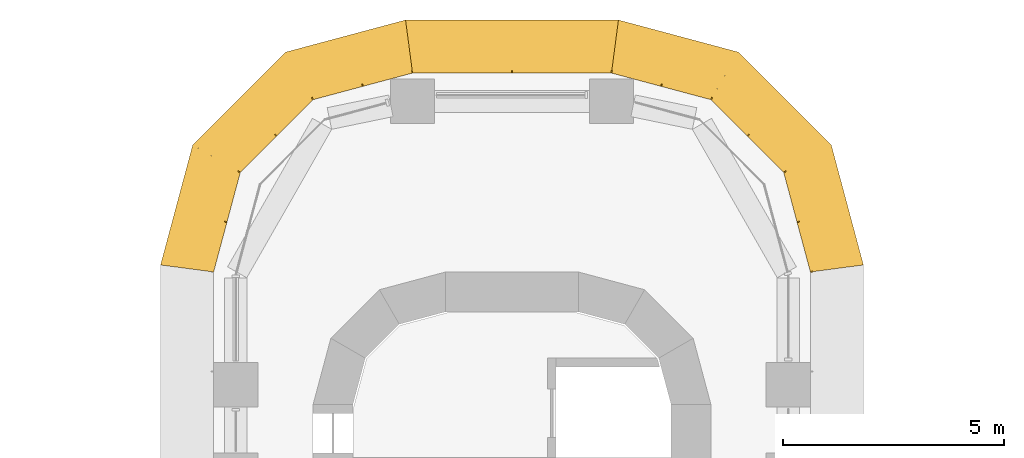
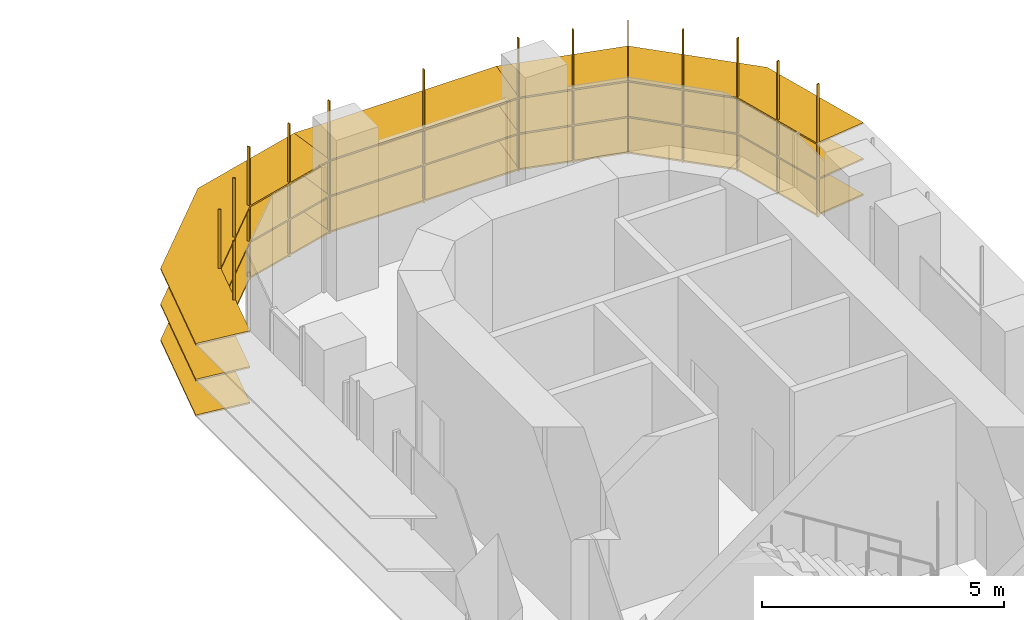
# One storey, part 23 of 23: 3 shading devices.
"""IFC4 building model written with IfcOpenShell, lengths in metres."""

from ifc_helpers import new_model, si_unit, direction, frame, origin, place, context, subcontext, project, spatial, polyline, outline, extrude, faceted_brep, source, transform, mapped, material, type_object, element, save


model = new_model("IFC4")

# Units and contexts
model_context = context("Model", 3, precision=1e-05, world=origin(), true_north=direction((0.0, 1.0)))
body_context = subcontext(model_context, "Body", "Model", "MODEL_VIEW")
ifc_project = project(units=[si_unit("LENGTHUNIT", "METRE"), si_unit("AREAUNIT", "SQUARE_METRE"), si_unit("VOLUMEUNIT", "CUBIC_METRE"), si_unit("PLANEANGLEUNIT", "RADIAN"), si_unit("MASSUNIT", "GRAM", prefix="KILO")], contexts=[model_context])

# Site, building, storey
site_placement = place(None, origin())
site = spatial("IfcSite", under=ifc_project, at=site_placement, CompositionType="ELEMENT")
building_placement = place(site_placement, origin())
building = spatial("IfcBuilding", under=site, at=building_placement, Name="Zarbagh Exchange Tower", CompositionType="ELEMENT")
storey_placement = place(building_placement, frame((0.0, 0.0, 64.800048828125)))
storey = spatial("IfcBuildingStorey", under=building, at=storey_placement, Name="L14", CompositionType="ELEMENT", Elevation=64.800048828125)

# Shading devices
ifc_material = material(Name="Anodised aluminium blades and brackets", Category="aluminium")
shading_device_type = type_object("IfcShadingDeviceType", Name="SUNSHADE louvre band, 0 degree blades", PredefinedType="JALOUSIE", material=ifc_material)
shared_shape_1 = source(origin(), body_context, "Body", "Brep", [
    faceted_brep([(0.0, 0.0, 0.0), (0.0, 0.0, -0.0400390625), (-0.157958984375, -1.199951171875, -0.0400390625), (-0.157958984375, -1.199951171875, 0.0), (2.65087890625, -1.199951171875, 0.0), (2.65087890625, -1.199951171875, -0.0400390625), (2.329345703125, 0.0, -0.0400390625), (2.329345703125, 0.0, 0.0)], [[[0, 1, 2, 3]], [[4, 5, 6, 7]], [[0, 7, 6, 1]], [[1, 6, 5, 2]], [[2, 5, 4, 3]], [[3, 4, 7, 0]]]),
])
shared_shape_2 = source(origin(), body_context, "Body", "Brep", [
    faceted_brep([(0.0, 0.0, 0.0), (0.0, 0.0, -0.0400390625), (-0.321533203125, -1.199951171875, -0.0400390625), (-0.321533203125, -1.199951171875, 0.0), (2.65087890625, -1.199951171875, 0.0), (2.65087890625, -1.199951171875, -0.0400390625), (2.329345703125, 0.0, -0.0400390625), (2.329345703125, 0.0, 0.0)], [[[0, 1, 2, 3]], [[4, 5, 6, 7]], [[0, 7, 6, 1]], [[1, 6, 5, 2]], [[2, 5, 4, 3]], [[3, 4, 7, 0]]]),
])
shared_shape_3 = source(origin(), body_context, "Body", "Brep", [
    faceted_brep([(0.0, 0.0, 0.0), (0.0, 0.0, -0.0400390625), (-0.321533203125, -1.199951171875, -0.0400390625), (-0.321533203125, -1.199951171875, 0.0), (2.4873046875, -1.199951171875, 0.0), (2.4873046875, -1.199951171875, -0.0400390625), (2.329345703125, 0.0, -0.0400390625), (2.329345703125, 0.0, 0.0)], [[[0, 1, 2, 3]], [[4, 5, 6, 7]], [[0, 7, 6, 1]], [[1, 6, 5, 2]], [[2, 5, 4, 3]], [[3, 4, 7, 0]]]),
])
shared_shape_4 = source(origin(), body_context, "Body", "SweptSolid", [
    extrude(outline(polyline([(0.0, -0.012451171875), (0.06005859375, -0.012451171875), (0.06005859375, 0.012451171875), (0.0, 0.012451171875), (0.0, -0.012451171875)])), origin(), (0.0, 0.0, 1.0), 3.35009765625),
])
placement = place(storey_placement, origin())
element("IfcShadingDevice", 1, at=placement, inside=storey, type_object=shading_device_type, Name="SS11 sunshade band", PredefinedType="JALOUSIE", context=body_context, shape_type="MappedRepresentation", body=[
    mapped(shared_shape_1, transform((6.75, 29.25, 2.699951171875), x_axis=(-0.258824779902, 0.965924289636, 0.0), y_axis=(-0.965924289636, -0.258824779902, 0.0), z_axis=(0.0, 0.0, 1.0))),
    mapped(shared_shape_1, transform((6.75, 29.25, 1.800048828125), x_axis=(-0.258824779902, 0.965924289636, 0.0), y_axis=(-0.965924289636, -0.258824779902, 0.0), z_axis=(0.0, 0.0, 1.0))),
    mapped(shared_shape_1, transform((6.75, 29.25, 0.89990234375), x_axis=(-0.258824779902, 0.965924289636, 0.0), y_axis=(-0.965924289636, -0.258824779902, 0.0), z_axis=(0.0, 0.0, 1.0))),
    mapped(shared_shape_2, transform((6.147216796875, 31.5, 2.699951171875), x_axis=(-0.707106781187, 0.707106781187, 0.0), y_axis=(-0.707106781187, -0.707106781187, 0.0), z_axis=(0.0, 0.0, 1.0))),
    mapped(shared_shape_2, transform((6.147216796875, 31.5, 1.800048828125), x_axis=(-0.707106781187, 0.707106781187, 0.0), y_axis=(-0.707106781187, -0.707106781187, 0.0), z_axis=(0.0, 0.0, 1.0))),
    mapped(shared_shape_2, transform((6.147216796875, 31.5, 0.89990234375), x_axis=(-0.707106781187, 0.707106781187, 0.0), y_axis=(-0.707106781187, -0.707106781187, 0.0), z_axis=(0.0, 0.0, 1.0))),
    mapped(shared_shape_3, transform((4.5, 33.147216796875, 2.699951171875), x_axis=(-0.965924289636, 0.258824779902, 0.0), y_axis=(-0.258824779902, -0.965924289636, 0.0), z_axis=(0.0, 0.0, 1.0))),
    mapped(shared_shape_3, transform((4.5, 33.147216796875, 1.800048828125), x_axis=(-0.965924289636, 0.258824779902, 0.0), y_axis=(-0.258824779902, -0.965924289636, 0.0), z_axis=(0.0, 0.0, 1.0))),
    mapped(shared_shape_3, transform((4.5, 33.147216796875, 0.89990234375), x_axis=(-0.965924289636, 0.258824779902, 0.0), y_axis=(-0.258824779902, -0.965924289636, 0.0), z_axis=(0.0, 0.0, 1.0))),
    mapped(shared_shape_4, transform((6.75, 29.25, 0.829833984375), x_axis=(0.991444457092, 0.130529263012, 0.0), y_axis=(-0.130529263012, 0.991444457092, 0.0), z_axis=(0.0, 0.0, 1.0))),
    mapped(shared_shape_4, transform((6.448486328125, 30.375, 0.829833984375), x_axis=(0.96592421511, 0.258825058029, 0.0), y_axis=(-0.258825058029, 0.96592421511, 0.0), z_axis=(0.0, 0.0, 1.0))),
    mapped(shared_shape_4, transform((6.147216796875, 31.5, 0.829833984375), x_axis=(0.866023812018, 0.50000275701, 0.0), y_axis=(-0.50000275701, 0.866023812018, 0.0), z_axis=(0.0, 0.0, 1.0))),
    mapped(shared_shape_4, transform((5.323486328125, 32.323486328125, 0.829833984375), x_axis=(0.707106781187, 0.707106781187, 0.0), y_axis=(-0.707106781187, 0.707106781187, 0.0), z_axis=(0.0, 0.0, 1.0))),
    mapped(shared_shape_4, transform((4.5, 33.147216796875, 0.829833984375), x_axis=(0.50000275701, 0.866023812018, 0.0), y_axis=(-0.866023812018, 0.50000275701, 0.0), z_axis=(0.0, 0.0, 1.0))),
    mapped(shared_shape_4, transform((3.375, 33.448486328125, 0.829833984375), x_axis=(0.258825058029, 0.96592421511, 0.0), y_axis=(-0.96592421511, 0.258825058029, 0.0), z_axis=(0.0, 0.0, 1.0))),
])
element("IfcShadingDevice", 2, at=placement, inside=storey, type_object=shading_device_type, Name="SS13 sunshade band", PredefinedType="JALOUSIE", context=body_context, shape_type="MappedRepresentation", body=[
    mapped(shared_shape_1, transform((-2.25, 33.75, 2.699951171875), x_axis=(-0.965924289636, -0.258824779902, 0.0), y_axis=(0.258824779902, -0.965924289636, 0.0), z_axis=(0.0, 0.0, 1.0))),
    mapped(shared_shape_1, transform((-2.25, 33.75, 1.800048828125), x_axis=(-0.965924289636, -0.258824779902, 0.0), y_axis=(0.258824779902, -0.965924289636, 0.0), z_axis=(0.0, 0.0, 1.0))),
    mapped(shared_shape_1, transform((-2.25, 33.75, 0.89990234375), x_axis=(-0.965924289636, -0.258824779902, 0.0), y_axis=(0.258824779902, -0.965924289636, 0.0), z_axis=(0.0, 0.0, 1.0))),
    mapped(shared_shape_2, transform((-4.5, 33.147216796875, 2.699951171875), x_axis=(-0.707106781187, -0.707106781187, 0.0), y_axis=(0.707106781187, -0.707106781187, 0.0), z_axis=(0.0, 0.0, 1.0))),
    mapped(shared_shape_2, transform((-4.5, 33.147216796875, 1.800048828125), x_axis=(-0.707106781187, -0.707106781187, 0.0), y_axis=(0.707106781187, -0.707106781187, 0.0), z_axis=(0.0, 0.0, 1.0))),
    mapped(shared_shape_2, transform((-4.5, 33.147216796875, 0.89990234375), x_axis=(-0.707106781187, -0.707106781187, 0.0), y_axis=(0.707106781187, -0.707106781187, 0.0), z_axis=(0.0, 0.0, 1.0))),
    mapped(shared_shape_3, transform((-6.147216796875, 31.5, 2.699951171875), x_axis=(-0.258824779902, -0.965924289636, 0.0), y_axis=(0.965924289636, -0.258824779902, 0.0), z_axis=(0.0, 0.0, 1.0))),
    mapped(shared_shape_3, transform((-6.147216796875, 31.5, 1.800048828125), x_axis=(-0.258824779902, -0.965924289636, 0.0), y_axis=(0.965924289636, -0.258824779902, 0.0), z_axis=(0.0, 0.0, 1.0))),
    mapped(shared_shape_3, transform((-6.147216796875, 31.5, 0.89990234375), x_axis=(-0.258824779902, -0.965924289636, 0.0), y_axis=(0.965924289636, -0.258824779902, 0.0), z_axis=(0.0, 0.0, 1.0))),
    mapped(shared_shape_4, transform((-2.25, 33.75, 0.829833984375), x_axis=(-0.130529263012, 0.991444457092, 0.0), y_axis=(-0.991444457092, -0.130529263012, 0.0), z_axis=(0.0, 0.0, 1.0))),
    mapped(shared_shape_4, transform((-3.375, 33.448486328125, 0.829833984375), x_axis=(-0.258825058029, 0.96592421511, 0.0), y_axis=(-0.96592421511, -0.258825058029, 0.0), z_axis=(0.0, 0.0, 1.0))),
    mapped(shared_shape_4, transform((-4.5, 33.147216796875, 0.829833984375), x_axis=(-0.50000275701, 0.866023812018, 0.0), y_axis=(-0.866023812018, -0.50000275701, 0.0), z_axis=(0.0, 0.0, 1.0))),
    mapped(shared_shape_4, transform((-5.323486328125, 32.323486328125, 0.829833984375), x_axis=(-0.707106781187, 0.707106781187, 0.0), y_axis=(-0.707106781187, -0.707106781187, 0.0), z_axis=(0.0, 0.0, 1.0))),
    mapped(shared_shape_4, transform((-6.147216796875, 31.5, 0.829833984375), x_axis=(-0.866023812018, 0.50000275701, 0.0), y_axis=(-0.50000275701, -0.866023812018, 0.0), z_axis=(0.0, 0.0, 1.0))),
    mapped(shared_shape_4, transform((-6.448486328125, 30.375, 0.829833984375), x_axis=(-0.96592421511, 0.258825058029, 0.0), y_axis=(-0.258825058029, -0.96592421511, 0.0), z_axis=(0.0, 0.0, 1.0))),
])
shared_shape_5 = source(origin(), body_context, "Body", "Brep", [
    faceted_brep([(0.0, 0.0, 0.0), (0.0, 0.0, -0.0400390625), (-0.157958984375, -1.199951171875, -0.0400390625), (-0.157958984375, -1.199951171875, 0.0), (4.657958984375, -1.199951171875, 0.0), (4.657958984375, -1.199951171875, -0.0400390625), (4.5, 0.0, -0.0400390625), (4.5, 0.0, 0.0)], [[[0, 1, 2, 3]], [[4, 5, 6, 7]], [[0, 7, 6, 1]], [[1, 6, 5, 2]], [[2, 5, 4, 3]], [[3, 4, 7, 0]]]),
])
element("IfcShadingDevice", 3, at=placement, inside=storey, type_object=shading_device_type, Name="SS12 sunshade band", PredefinedType="JALOUSIE", context=body_context, shape_type="MappedRepresentation", body=[
    mapped(shared_shape_5, transform((2.25, 33.75, 2.699951171875), x_axis=(-1.0, 0.0, 0.0), y_axis=(0.0, -1.0, 0.0), z_axis=(0.0, 0.0, 1.0))),
    mapped(shared_shape_5, transform((2.25, 33.75, 1.800048828125), x_axis=(-1.0, 0.0, 0.0), y_axis=(0.0, -1.0, 0.0), z_axis=(0.0, 0.0, 1.0))),
    mapped(shared_shape_5, transform((2.25, 33.75, 0.89990234375), x_axis=(-1.0, 0.0, 0.0), y_axis=(0.0, -1.0, 0.0), z_axis=(0.0, 0.0, 1.0))),
    mapped(shared_shape_4, transform((2.25, 33.75, 0.829833984375), x_axis=(0.130529263012, 0.991444457092, 0.0), y_axis=(-0.991444457092, 0.130529263012, 0.0), z_axis=(0.0, 0.0, 1.0))),
    mapped(shared_shape_4, transform((0.0, 33.75, 0.829833984375), x_axis=(0.0, 1.0, 0.0), y_axis=(-1.0, 0.0, 0.0), z_axis=(0.0, 0.0, 1.0))),
])

save(model, "model.ifc")
